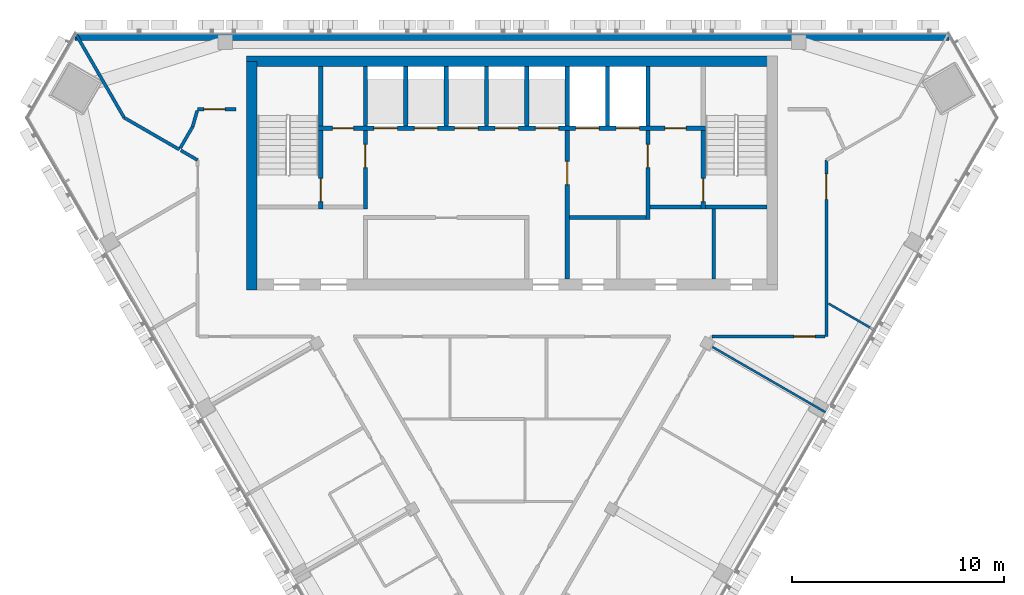
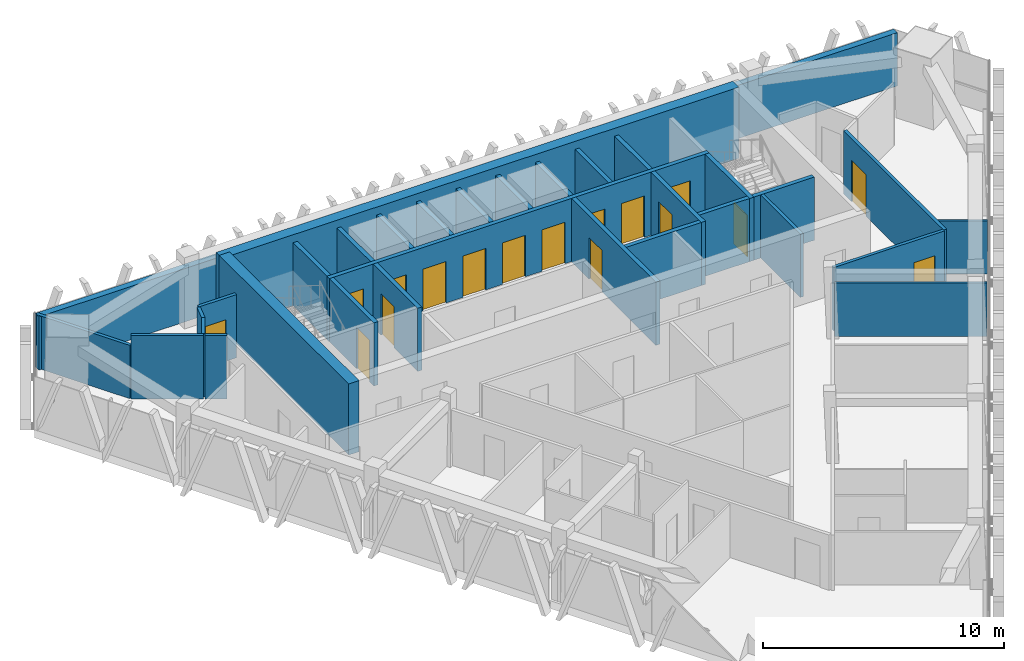
# One storey, part 9 of 12: 32 walls, 17 doors, 17 openings.
"""IFC4 building model written with IfcOpenShell, lengths in metres."""

from ifc_helpers import new_model, si_unit, direction, frame, frame_2d, origin, place, context, subcontext, project, spatial, rectangle, extrude, material, layer, layer_set, type_object, element, fill, save


model = new_model("IFC4")

# Units and contexts
model_context = context("Model", 3, precision=1e-05, world=origin(), true_north=direction((0.0, 1.0)))
body_context = subcontext(model_context, "Body", "Model", "MODEL_VIEW")
ifc_project = project(units=[si_unit("LENGTHUNIT", "METRE"), si_unit("AREAUNIT", "SQUARE_METRE"), si_unit("VOLUMEUNIT", "CUBIC_METRE"), si_unit("PLANEANGLEUNIT", "RADIAN"), si_unit("MASSUNIT", "GRAM", prefix="KILO")], contexts=[model_context])

# Site, building, storey
site_placement = place(None, origin())
site = spatial("IfcSite", under=ifc_project, at=site_placement, CompositionType="ELEMENT")
building_placement = place(site_placement, origin())
building = spatial("IfcBuilding", under=site, at=building_placement, Name="Altiplano Prism Tower", CompositionType="ELEMENT")
storey_placement = place(building_placement, frame((0.0, 0.0, 278.800048828125)))
storey = spatial("IfcBuildingStorey", under=building, at=storey_placement, Name="L72", CompositionType="ELEMENT", Elevation=278.800048828125)

# Walls
ifc_material_1 = material(Name="Concrete C60/75", Category="concrete")
ifc_layer_1 = layer(ifc_material_1, 0.5)
ifc_layer_set_1 = layer_set([ifc_layer_1], Name="Concrete C60/75")
wall_type_1 = type_object("IfcWallType", Name="Core wall 500", PredefinedType="SHEAR", material=ifc_layer_set_1)
wall_1_placement = place(storey_placement, frame((97.25, 103.64990234375, 0.0), z_axis=(0.0, 0.0, 1.0), x_axis=(-1.0, 0.0, 0.0)))
element("IfcWall", 1, at=wall_1_placement, inside=storey, type_object=wall_type_1, Name="Core wall N L72", PredefinedType="SHEAR", context=body_context, shape_type="SweptSolid", body=[
    extrude(rectangle(XDim=24.75, YDim=0.5, at=frame_2d((12.375, 0.0))), origin(), (0.0, 0.0, 1.0), 3.599853515625),
])
wall_2_placement = place(storey_placement, frame((72.75, 103.64990234375, 0.0), z_axis=(0.0, 0.0, 1.0), x_axis=(0.0, -1.0, 0.0)))
element("IfcWall", 2, at=wall_2_placement, inside=storey, type_object=wall_type_1, Name="Core wall W L72", PredefinedType="SHEAR", context=body_context, shape_type="SweptSolid", body=[
    extrude(rectangle(XDim=10.75, YDim=0.5, at=frame_2d((5.375, 0.0))), origin(), (0.0, 0.0, 1.0), 3.599853515625),
])
ifc_material_2 = material(Name="Plasterboard on steel stud", Category="steel")
ifc_layer_2 = layer(ifc_material_2, 0.10009765625)
ifc_layer_set_2 = layer_set([ifc_layer_2], Name="Plasterboard on steel stud")
wall_type_2 = type_object("IfcWallType", Name="Partition 100 wet", PredefinedType="PARTITIONING", material=ifc_layer_set_2)
wall_3_placement = place(storey_placement, frame((99.755126953125, 87.1376953125, 0.0), z_axis=(0.0, 0.0, 1.0), x_axis=(-0.866032601554, 0.49998753289, 0.0)))
element("IfcWall", 3, at=wall_3_placement, inside=storey, type_object=wall_type_2, Name="Partition P03 L72 043", PredefinedType="PARTITIONING", context=body_context, shape_type="SweptSolid", body=[
    extrude(rectangle(XDim=6.324951171875, YDim=0.10009765625, at=frame_2d((3.16259765625, 0.0))), origin(), (0.0, 0.0, 1.0), 2.699951171875),
])
wall_4_placement = place(storey_placement, frame((102.022705078125, 91.024658203125, 0.0), z_axis=(0.0, 0.0, 1.0), x_axis=(-0.866028016946, 0.499995473844, 0.0)))
element("IfcWall", 4, at=wall_4_placement, inside=storey, type_object=wall_type_2, Name="Partition P03 L72 044", PredefinedType="PARTITIONING", context=body_context, shape_type="SweptSolid", body=[
    extrude(rectangle(XDim=2.451171875, YDim=0.10009765625, at=frame_2d((1.2255859375, 0.0))), origin(), (0.0, 0.0, 1.0), 2.699951171875),
])
ifc_layer_3 = layer(ifc_material_2, 0.14990234375)
ifc_layer_set_3 = layer_set([ifc_layer_3], Name="Plasterboard on steel stud")
wall_type_3 = type_object("IfcWallType", Name="Partition 150 corridor", PredefinedType="PARTITIONING", material=ifc_layer_set_3)
wall_5_placement = place(storey_placement, frame((69.40771484375, 99.46240234375, 0.0), z_axis=(0.0, 0.0, 1.0), x_axis=(0.866083370663, -0.499899584978, 0.0)))
element("IfcWall", 5, at=wall_5_placement, inside=storey, type_object=wall_type_3, Name="Partition P06 L72 004", PredefinedType="PARTITIONING", context=body_context, shape_type="SweptSolid", body=[
    extrude(rectangle(XDim=0.914794921875, YDim=0.14990234375, at=frame_2d((0.45751953125, 0.0))), origin(), (0.0, 0.0, 1.0), 3.199951171875),
])

# Wall, opening, door
wall_6_placement = place(storey_placement, frame((94.421630859375, 90.699951171875, 0.0), z_axis=(0.0, 0.0, 1.0), x_axis=(1.0, 0.0, 0.0)))
wall_6 = element("IfcWall", 6, at=wall_6_placement, inside=storey, type_object=wall_type_3, Name="Partition P06 L72 009", PredefinedType="PARTITIONING", context=body_context, shape_type="SweptSolid", body=[
    extrude(rectangle(XDim=5.303466796875, YDim=0.14990234375, at=frame_2d((2.65185546875, 0.0))), origin(), (0.0, 0.0, 1.0), 3.199951171875),
])
opening_1_placement = place(wall_6_placement, frame((3.846923828125, 0.0, 0.0)))
opening_1 = element("IfcOpeningElement", 7, at=opening_1_placement, cuts=wall_6, Name="Opening D2264", PredefinedType="OPENING", context=body_context, shape_type="SweptSolid", body=[
    extrude(rectangle(XDim=1.0, YDim=2.10009765625, at=frame_2d((0.5, 1.050048828125))), frame((0.0, 0.08544921875, 0.0), z_axis=(0.0, -1.0, 0.0), x_axis=(1.0, 0.0, 0.0)), (0.0, 0.0, 1.0), 0.1708984375),
])
ifc_material_3 = material(Name="Timber", Category="wood")
door_type_1 = type_object("IfcDoorType", Name="Room door 1000 x 2100", OperationType="NOTDEFINED", PredefinedType="NOTDEFINED", material=ifc_material_3)
door_1_placement = place(opening_1_placement, origin())
door_1 = element("IfcDoor", 8, at=door_1_placement, inside=storey, type_object=door_type_1, Name="Door D2264", OperationType="SINGLE_SWING_RIGHT", OverallHeight=2.10009765625, OverallWidth=1.0, PredefinedType="NOTDEFINED", context=body_context, shape_type="SweptSolid", body=[
    extrude(rectangle(XDim=1.0, YDim=2.10009765625, at=frame_2d((0.5, 1.050048828125))), frame((0.0, 0.02490234375, 0.0), z_axis=(0.0, -1.0, 0.0), x_axis=(1.0, 0.0, 0.0)), (0.0, 0.0, 1.0), 0.050048828125),
])
fill(opening_1, door_1)

wall_7_placement = place(storey_placement, frame((99.800048828125, 90.699951171875, 0.0), z_axis=(0.0, 0.0, 1.0), x_axis=(0.0, 1.0, 0.0)))
wall_7 = element("IfcWall", 9, at=wall_7_placement, inside=storey, type_object=wall_type_3, Name="Partition P06 L72 010", PredefinedType="PARTITIONING", context=body_context, shape_type="SweptSolid", body=[
    extrude(rectangle(XDim=8.30517578125, YDim=0.14990234375, at=frame_2d((4.152587890625, 0.0))), origin(), (0.0, 0.0, 1.0), 3.199951171875),
])
opening_2_placement = place(wall_7_placement, frame((6.451904296875, 0.0, 0.0)))
opening_2 = element("IfcOpeningElement", 10, at=opening_2_placement, cuts=wall_7, Name="Opening D2265", PredefinedType="OPENING", context=body_context, shape_type="SweptSolid", body=[
    extrude(rectangle(XDim=1.199951171875, YDim=2.10009765625, at=frame_2d((0.60009765625, 1.050048828125))), frame((0.0, 0.08544921875, 0.0), z_axis=(0.0, -1.0, 0.0), x_axis=(1.0, 0.0, 0.0)), (0.0, 0.0, 1.0), 0.1708984375),
])
door_type_2 = type_object("IfcDoorType", Name="Shared room door 1200 x 2100", OperationType="NOTDEFINED", PredefinedType="NOTDEFINED", material=ifc_material_3)
door_2_placement = place(opening_2_placement, origin())
door_2 = element("IfcDoor", 11, at=door_2_placement, inside=storey, type_object=door_type_2, Name="Door D2265", OperationType="SINGLE_SWING_RIGHT", OverallHeight=2.10009765625, OverallWidth=1.199951171875, PredefinedType="NOTDEFINED", context=body_context, shape_type="SweptSolid", body=[
    extrude(rectangle(XDim=1.199951171875, YDim=2.10009765625, at=frame_2d((0.60009765625, 1.050048828125))), frame((0.0, 0.02490234375, 0.0), z_axis=(0.0, -1.0, 0.0), x_axis=(1.0, 0.0, 0.0)), (0.0, 0.0, 1.0), 0.050048828125),
])
fill(opening_2, door_2)

wall_8_placement = place(storey_placement, frame((72.0, 101.39990234375, 0.0), z_axis=(0.0, 0.0, 1.0), x_axis=(-1.0, 0.0, 0.0)))
wall_8 = element("IfcWall", 12, at=wall_8_placement, inside=storey, type_object=wall_type_3, Name="Partition P06 L72 012", PredefinedType="PARTITIONING", context=body_context, shape_type="SweptSolid", body=[
    extrude(rectangle(XDim=1.800048828125, YDim=0.14990234375, at=frame_2d((0.89990234375, 0.0))), origin(), (0.0, 0.0, 1.0), 3.199951171875),
])
opening_3_placement = place(wall_8_placement, frame((0.50390625, 0.0, 0.0)))
opening_3 = element("IfcOpeningElement", 13, at=opening_3_placement, cuts=wall_8, Name="Opening D2266", PredefinedType="OPENING", context=body_context, shape_type="SweptSolid", body=[
    extrude(rectangle(XDim=1.0, YDim=2.10009765625, at=frame_2d((0.5, 1.050048828125))), frame((0.0, 0.08544921875, 0.0), z_axis=(0.0, -1.0, 0.0), x_axis=(1.0, 0.0, 0.0)), (0.0, 0.0, 1.0), 0.1708984375),
])
door_type_3 = type_object("IfcDoorType", Name="Store door 1000 x 2100", OperationType="NOTDEFINED", PredefinedType="NOTDEFINED", material=ifc_material_3)
door_3_placement = place(opening_3_placement, origin())
door_3 = element("IfcDoor", 14, at=door_3_placement, inside=storey, type_object=door_type_3, Name="Door D2266", OperationType="SINGLE_SWING_LEFT", OverallHeight=2.10009765625, OverallWidth=1.0, PredefinedType="NOTDEFINED", context=body_context, shape_type="SweptSolid", body=[
    extrude(rectangle(XDim=1.0, YDim=2.10009765625, at=frame_2d((0.5, 1.050048828125))), frame((0.0, 0.02490234375, 0.0), z_axis=(0.0, -1.0, 0.0), x_axis=(1.0, 0.0, 0.0)), (0.0, 0.0, 1.0), 0.050048828125),
])
fill(opening_3, door_3)

# Walls
wall_9_placement = place(storey_placement, frame((70.18017578125, 101.33056640625, 0.0), z_axis=(0.0, 0.0, 1.0), x_axis=(-0.27467994889, -0.961535712118, 0.0)))
element("IfcWall", 15, at=wall_9_placement, inside=storey, type_object=wall_type_3, Name="Partition P06 L72 013", PredefinedType="PARTITIONING", context=body_context, shape_type="SweptSolid", body=[
    extrude(rectangle(XDim=0.782958984375, YDim=0.14990234375, at=frame_2d((0.3916015625, 0.0))), origin(), (0.0, 0.0, 1.0), 3.199951171875),
])
wall_10_placement = place(storey_placement, frame((69.965087890625, 100.57763671875, 0.0), z_axis=(0.0, 0.0, 1.0), x_axis=(-0.500023656998, -0.86601174498, 0.0)))
element("IfcWall", 16, at=wall_10_placement, inside=storey, type_object=wall_type_3, Name="Partition P06 L72 014", PredefinedType="PARTITIONING", context=body_context, shape_type="SweptSolid", body=[
    extrude(rectangle(XDim=1.16943359375, YDim=0.14990234375, at=frame_2d((0.584716796875, 0.0))), origin(), (0.0, 0.0, 1.0), 3.199951171875),
])
ifc_layer_4 = layer(ifc_material_2, 0.14990234375)
ifc_layer_set_4 = layer_set([ifc_layer_4], Name="Plasterboard on steel stud")
wall_type_4 = type_object("IfcWallType", Name="Partition 150 party", PredefinedType="PARTITIONING", material=ifc_layer_set_4)
wall_11_placement = place(storey_placement, frame((69.3427734375, 99.5, 0.0), z_axis=(0.0, 0.0, 1.0), x_axis=(-0.865998815133, 0.500046050067, 0.0)))
element("IfcWall", 17, at=wall_11_placement, inside=storey, type_object=wall_type_4, Name="Partition P01 L72 026", PredefinedType="PARTITIONING", context=body_context, shape_type="SweptSolid", body=[
    extrude(rectangle(XDim=3.004150390625, YDim=0.14990234375, at=frame_2d((1.501953125, 0.0))), origin(), (0.0, 0.0, 1.0), 3.199951171875),
])
wall_12_placement = place(storey_placement, frame((66.7412109375, 101.002197265625, 0.0), z_axis=(0.0, 0.0, 1.0), x_axis=(-0.500024529875, 0.866011240991, 0.0)))
element("IfcWall", 18, at=wall_12_placement, inside=storey, type_object=wall_type_4, Name="Partition P01 L72 027", PredefinedType="PARTITIONING", context=body_context, shape_type="SweptSolid", body=[
    extrude(rectangle(XDim=4.500732421875, YDim=0.14990234375, at=frame_2d((2.25048828125, 0.0))), origin(), (0.0, 0.0, 1.0), 2.699951171875),
])
ifc_material_4 = material(Name="Fire-rated gypsum board partition")
ifc_layer_5 = layer(ifc_material_4, 0.14990234375)
ifc_layer_set_5 = layer_set([ifc_layer_5], Name="Fire-rated gypsum board partition")
wall_type_5 = type_object("IfcWallType", Name="Room partition 150", PredefinedType="PARTITIONING", material=ifc_layer_set_5)
wall_13_placement = place(storey_placement, frame((94.5, 93.39990234375, 0.0), z_axis=(0.0, 0.0, 1.0), x_axis=(0.0, 1.0, 0.0)))
element("IfcWall", 19, at=wall_13_placement, inside=storey, type_object=wall_type_5, Name="Room partition L72", PredefinedType="PARTITIONING", context=body_context, shape_type="SweptSolid", body=[
    extrude(rectangle(XDim=3.300048828125, YDim=0.14990234375, at=frame_2d((1.64990234375, 0.0))), origin(), (0.0, 0.0, 1.0), 3.199951171875),
])
ifc_layer_6 = layer(ifc_material_1, 0.199951171875)
ifc_layer_set_6 = layer_set([ifc_layer_6], Name="Concrete C60/75")
wall_type_6 = type_object("IfcWallType", Name="Shaft wall 200", PredefinedType="SOLIDWALL", material=ifc_layer_set_6)
for number, where, z_axis, x_axis, name in (
    (20, (78.10009765625, 100.60009765625, 0.0), (0.0, 0.0, 1.0), (0.0, 1.0, 0.0), "Shaft wall L72"),
    (21, (80.0, 100.60009765625, 0.0), (0.0, 0.0, 1.0), (0.0, 1.0, 0.0), "Shaft wall L72"),
    (22, (81.89990234375, 100.60009765625, 0.0), (0.0, 0.0, 1.0), (0.0, 1.0, 0.0), "Shaft wall L72"),
    (23, (83.800048828125, 100.60009765625, 0.0), (0.0, 0.0, 1.0), (0.0, 1.0, 0.0), "Shaft wall L72"),
    (24, (85.699951171875, 100.60009765625, 0.0), (0.0, 0.0, 1.0), (0.0, 1.0, 0.0), "Shaft wall L72"),
    (25, (87.60009765625, 100.60009765625, 0.0), (0.0, 0.0, 1.0), (0.0, 1.0, 0.0), "Shaft wall L72"),
    (26, (89.5, 100.60009765625, 0.0), (0.0, 0.0, 1.0), (0.0, 1.0, 0.0), "Shaft wall L72"),
    (27, (91.39990234375, 100.60009765625, 0.0), (0.0, 0.0, 1.0), (0.0, 1.0, 0.0), "Shaft wall L72"),
):
    element("IfcWall", number, at=place(storey_placement, frame(where, z_axis=z_axis, x_axis=x_axis)), inside=storey, type_object=wall_type_6, Name=name, PredefinedType="SOLIDWALL", context=body_context, shape_type="SweptSolid", body=[
        extrude(rectangle(XDim=2.7998046875, YDim=0.199951171875, at=frame_2d((1.39990234375, 0.0))), origin(), (0.0, 0.0, 1.0), 3.199951171875),
    ])

# Wall, opening, door
ifc_layer_7 = layer(ifc_material_1, 0.199951171875)
ifc_layer_set_7 = layer_set([ifc_layer_7], Name="Concrete C60/75")
wall_type_7 = type_object("IfcWallType", Name="Stair wall 200", PredefinedType="SOLIDWALL", material=ifc_layer_set_7)
wall_14_placement = place(storey_placement, frame((76.0, 96.699951171875, 0.0), z_axis=(0.0, 0.0, 1.0), x_axis=(0.0, 1.0, 0.0)))
wall_14 = element("IfcWall", 28, at=wall_14_placement, inside=storey, type_object=wall_type_7, Name="Stair wall L72", PredefinedType="SOLIDWALL", context=body_context, shape_type="SweptSolid", body=[
    extrude(rectangle(XDim=3.699951171875, YDim=0.199951171875, at=frame_2d((1.85009765625, 0.0))), origin(), (0.0, 0.0, 1.0), 3.199951171875),
])
opening_4_placement = place(wall_14_placement, frame((0.35009765625, 0.0, 0.0)))
opening_4 = element("IfcOpeningElement", 29, at=opening_4_placement, cuts=wall_14, Name="Opening D3592", PredefinedType="OPENING", context=body_context, shape_type="SweptSolid", body=[
    extrude(rectangle(XDim=1.10009765625, YDim=2.10009765625, at=frame_2d((0.550048828125, 1.050048828125))), frame((0.0, 0.1103515625, 0.0), z_axis=(0.0, -1.0, 0.0), x_axis=(1.0, 0.0, 0.0)), (0.0, 0.0, 1.0), 0.220947265625),
])
ifc_material_5 = material(Name="Fire-rated steel door", Category="steel")
door_type_4 = type_object("IfcDoorType", Name="Stair fire door 1100 x 2100", OperationType="NOTDEFINED", PredefinedType="NOTDEFINED", material=ifc_material_5)
door_4_placement = place(opening_4_placement, origin())
door_4 = element("IfcDoor", 30, at=door_4_placement, inside=storey, type_object=door_type_4, Name="Stair fire door D3592", OperationType="SINGLE_SWING_RIGHT", OverallHeight=2.10009765625, OverallWidth=1.10009765625, PredefinedType="NOTDEFINED", context=body_context, shape_type="SweptSolid", body=[
    extrude(rectangle(XDim=1.10009765625, YDim=2.10009765625, at=frame_2d((0.550048828125, 1.050048828125))), frame((0.0, 0.02490234375, 0.0), z_axis=(0.0, -1.0, 0.0), x_axis=(1.0, 0.0, 0.0)), (0.0, 0.0, 1.0), 0.050048828125),
])
fill(opening_4, door_4)

wall_15_placement = place(storey_placement, frame((94.0, 96.699951171875, 0.0), z_axis=(0.0, 0.0, 1.0), x_axis=(0.0, 1.0, 0.0)))
wall_15 = element("IfcWall", 31, at=wall_15_placement, inside=storey, type_object=wall_type_7, Name="Stair wall L72", PredefinedType="SOLIDWALL", context=body_context, shape_type="SweptSolid", body=[
    extrude(rectangle(XDim=3.699951171875, YDim=0.199951171875, at=frame_2d((1.85009765625, 0.0))), origin(), (0.0, 0.0, 1.0), 3.199951171875),
])
opening_5_placement = place(wall_15_placement, frame((0.35009765625, 0.0, 0.0)))
opening_5 = element("IfcOpeningElement", 32, at=opening_5_placement, cuts=wall_15, Name="Opening D3593", PredefinedType="OPENING", context=body_context, shape_type="SweptSolid", body=[
    extrude(rectangle(XDim=1.10009765625, YDim=2.10009765625, at=frame_2d((0.550048828125, 1.050048828125))), frame((0.0, 0.1103515625, 0.0), z_axis=(0.0, -1.0, 0.0), x_axis=(1.0, 0.0, 0.0)), (0.0, 0.0, 1.0), 0.220947265625),
])
door_5_placement = place(opening_5_placement, origin())
door_5 = element("IfcDoor", 33, at=door_5_placement, inside=storey, type_object=door_type_4, Name="Stair fire door D3593", OperationType="SINGLE_SWING_LEFT", OverallHeight=2.10009765625, OverallWidth=1.10009765625, PredefinedType="NOTDEFINED", context=body_context, shape_type="SweptSolid", body=[
    extrude(rectangle(XDim=1.10009765625, YDim=2.10009765625, at=frame_2d((0.550048828125, 1.050048828125))), frame((0.0, 0.02490234375, 0.0), z_axis=(0.0, -1.0, 0.0), x_axis=(1.0, 0.0, 0.0)), (0.0, 0.0, 1.0), 0.050048828125),
])
fill(opening_5, door_5)

# Wall
wall_16_placement = place(storey_placement, frame((94.10009765625, 96.800048828125, 0.0), z_axis=(0.0, 0.0, 1.0), x_axis=(1.0, 0.0, 0.0)))
element("IfcWall", 34, at=wall_16_placement, inside=storey, type_object=wall_type_7, Name="Stair wall L72", PredefinedType="SOLIDWALL", context=body_context, shape_type="SweptSolid", body=[
    extrude(rectangle(XDim=2.89990234375, YDim=0.199951171875, at=frame_2d((1.449951171875, 0.0))), origin(), (0.0, 0.0, 1.0), 3.199951171875),
])

# Wall, openings, doors
wall_17_placement = place(storey_placement, frame((75.89990234375, 100.5, 0.0), z_axis=(0.0, 0.0, 1.0), x_axis=(1.0, 0.0, 0.0)))
wall_17 = element("IfcWall", 35, at=wall_17_placement, inside=storey, type_object=wall_type_7, Name="Stair wall L72", PredefinedType="SOLIDWALL", context=body_context, shape_type="SweptSolid", body=[
    extrude(rectangle(XDim=18.2001953125, YDim=0.199951171875, at=frame_2d((9.10009765625, 0.0))), origin(), (0.0, 0.0, 1.0), 3.199951171875),
])
opening_6_placement = place(wall_17_placement, frame((2.60009765625, 0.0, 0.0)))
opening_6 = element("IfcOpeningElement", 36, at=opening_6_placement, cuts=wall_17, Name="Opening LD-HL1-L72", PredefinedType="OPENING", context=body_context, shape_type="SweptSolid", body=[
    extrude(rectangle(XDim=1.10009765625, YDim=2.10009765625, at=frame_2d((0.550048828125, 1.050048828125))), frame((0.0, 0.1103515625, 0.0), z_axis=(0.0, -1.0, 0.0), x_axis=(1.0, 0.0, 0.0)), (0.0, 0.0, 1.0), 0.220947265625),
])
opening_7_placement = place(wall_17_placement, frame((4.5, 0.0, 0.0)))
opening_7 = element("IfcOpeningElement", 37, at=opening_7_placement, cuts=wall_17, Name="Opening LD-HL2-L72", PredefinedType="OPENING", context=body_context, shape_type="SweptSolid", body=[
    extrude(rectangle(XDim=1.10009765625, YDim=2.10009765625, at=frame_2d((0.550048828125, 1.050048828125))), frame((0.0, 0.1103515625, 0.0), z_axis=(0.0, -1.0, 0.0), x_axis=(1.0, 0.0, 0.0)), (0.0, 0.0, 1.0), 0.220947265625),
])
opening_8_placement = place(wall_17_placement, frame((6.39990234375, 0.0, 0.0)))
opening_8 = element("IfcOpeningElement", 38, at=opening_8_placement, cuts=wall_17, Name="Opening LD-HL3-L72", PredefinedType="OPENING", context=body_context, shape_type="SweptSolid", body=[
    extrude(rectangle(XDim=1.10009765625, YDim=2.10009765625, at=frame_2d((0.550048828125, 1.050048828125))), frame((0.0, 0.1103515625, 0.0), z_axis=(0.0, -1.0, 0.0), x_axis=(1.0, 0.0, 0.0)), (0.0, 0.0, 1.0), 0.220947265625),
])
opening_9_placement = place(wall_17_placement, frame((8.300048828125, 0.0, 0.0)))
opening_9 = element("IfcOpeningElement", 39, at=opening_9_placement, cuts=wall_17, Name="Opening LD-HL4-L72", PredefinedType="OPENING", context=body_context, shape_type="SweptSolid", body=[
    extrude(rectangle(XDim=1.10009765625, YDim=2.10009765625, at=frame_2d((0.550048828125, 1.050048828125))), frame((0.0, 0.1103515625, 0.0), z_axis=(0.0, -1.0, 0.0), x_axis=(1.0, 0.0, 0.0)), (0.0, 0.0, 1.0), 0.220947265625),
])
opening_10_placement = place(wall_17_placement, frame((10.199951171875, 0.0, 0.0)))
opening_10 = element("IfcOpeningElement", 40, at=opening_10_placement, cuts=wall_17, Name="Opening LD-HL5-L72", PredefinedType="OPENING", context=body_context, shape_type="SweptSolid", body=[
    extrude(rectangle(XDim=1.10009765625, YDim=2.10009765625, at=frame_2d((0.550048828125, 1.050048828125))), frame((0.0, 0.1103515625, 0.0), z_axis=(0.0, -1.0, 0.0), x_axis=(1.0, 0.0, 0.0)), (0.0, 0.0, 1.0), 0.220947265625),
])
opening_11_placement = place(wall_17_placement, frame((12.10009765625, 0.0, 0.0)))
opening_11 = element("IfcOpeningElement", 41, at=opening_11_placement, cuts=wall_17, Name="Opening LD-FF1-L72", PredefinedType="OPENING", context=body_context, shape_type="SweptSolid", body=[
    extrude(rectangle(XDim=1.10009765625, YDim=2.10009765625, at=frame_2d((0.550048828125, 1.050048828125))), frame((0.0, 0.1103515625, 0.0), z_axis=(0.0, -1.0, 0.0), x_axis=(1.0, 0.0, 0.0)), (0.0, 0.0, 1.0), 0.220947265625),
])
opening_12_placement = place(wall_17_placement, frame((14.0, 0.0, 0.0)))
opening_12 = element("IfcOpeningElement", 42, at=opening_12_placement, cuts=wall_17, Name="Opening LD-FF2-L72", PredefinedType="OPENING", context=body_context, shape_type="SweptSolid", body=[
    extrude(rectangle(XDim=1.10009765625, YDim=2.10009765625, at=frame_2d((0.550048828125, 1.050048828125))), frame((0.0, 0.1103515625, 0.0), z_axis=(0.0, -1.0, 0.0), x_axis=(1.0, 0.0, 0.0)), (0.0, 0.0, 1.0), 0.220947265625),
])
opening_13_placement = place(wall_17_placement, frame((0.64990234375, 0.0, 0.0)))
opening_13 = element("IfcOpeningElement", 43, at=opening_13_placement, cuts=wall_17, Name="Opening D3600", PredefinedType="OPENING", context=body_context, shape_type="SweptSolid", body=[
    extrude(rectangle(XDim=1.0, YDim=2.10009765625, at=frame_2d((0.5, 1.050048828125))), frame((0.0, 0.1103515625, 0.0), z_axis=(0.0, -1.0, 0.0), x_axis=(1.0, 0.0, 0.0)), (0.0, 0.0, 1.0), 0.220947265625),
])
opening_14_placement = place(wall_17_placement, frame((16.300048828125, 0.0, 0.0)))
opening_14 = element("IfcOpeningElement", 44, at=opening_14_placement, cuts=wall_17, Name="Opening D3601", PredefinedType="OPENING", context=body_context, shape_type="SweptSolid", body=[
    extrude(rectangle(XDim=1.0, YDim=2.10009765625, at=frame_2d((0.5, 1.050048828125))), frame((0.0, 0.1103515625, 0.0), z_axis=(0.0, -1.0, 0.0), x_axis=(1.0, 0.0, 0.0)), (0.0, 0.0, 1.0), 0.220947265625),
])
door_type_5 = type_object("IfcDoorType", Name="Core room door 1000 x 2100", OperationType="NOTDEFINED", PredefinedType="NOTDEFINED", material=ifc_material_5)
door_6_placement = place(opening_13_placement, origin())
door_6 = element("IfcDoor", 45, at=door_6_placement, inside=storey, type_object=door_type_5, Name="Core room door D3600", OperationType="SINGLE_SWING_LEFT", OverallHeight=2.10009765625, OverallWidth=1.0, PredefinedType="NOTDEFINED", context=body_context, shape_type="SweptSolid", body=[
    extrude(rectangle(XDim=1.0, YDim=2.10009765625, at=frame_2d((0.5, 1.050048828125))), frame((0.0, 0.02490234375, 0.0), z_axis=(0.0, -1.0, 0.0), x_axis=(1.0, 0.0, 0.0)), (0.0, 0.0, 1.0), 0.050048828125),
])
fill(opening_13, door_6)
door_7_placement = place(opening_14_placement, origin())
door_7 = element("IfcDoor", 46, at=door_7_placement, inside=storey, type_object=door_type_5, Name="Core room door D3601", OperationType="SINGLE_SWING_RIGHT", OverallHeight=2.10009765625, OverallWidth=1.0, PredefinedType="NOTDEFINED", context=body_context, shape_type="SweptSolid", body=[
    extrude(rectangle(XDim=1.0, YDim=2.10009765625, at=frame_2d((0.5, 1.050048828125))), frame((0.0, 0.02490234375, 0.0), z_axis=(0.0, -1.0, 0.0), x_axis=(1.0, 0.0, 0.0)), (0.0, 0.0, 1.0), 0.050048828125),
])
fill(opening_14, door_7)
ifc_material_6 = material(Name="Stainless steel landing door", Category="steel")
door_type_6 = type_object("IfcDoorType", Name="Landing door 1100 x 2100", OperationType="NOTDEFINED", PredefinedType="NOTDEFINED", material=ifc_material_6)
door_8_placement = place(opening_6_placement, origin())
door_8 = element("IfcDoor", 47, at=door_8_placement, inside=storey, type_object=door_type_6, Name="Landing doors HL1", OperationType="SLIDING_TO_RIGHT", OverallHeight=2.10009765625, OverallWidth=1.10009765625, PredefinedType="NOTDEFINED", context=body_context, shape_type="SweptSolid", body=[
    extrude(rectangle(XDim=1.10009765625, YDim=2.10009765625, at=frame_2d((0.550048828125, 1.050048828125))), frame((0.0, 0.02490234375, 0.0), z_axis=(0.0, -1.0, 0.0), x_axis=(1.0, 0.0, 0.0)), (0.0, 0.0, 1.0), 0.050048828125),
])
fill(opening_6, door_8)
door_9_placement = place(opening_7_placement, origin())
door_9 = element("IfcDoor", 48, at=door_9_placement, inside=storey, type_object=door_type_6, Name="Landing doors HL2", OperationType="SLIDING_TO_LEFT", OverallHeight=2.10009765625, OverallWidth=1.10009765625, PredefinedType="NOTDEFINED", context=body_context, shape_type="SweptSolid", body=[
    extrude(rectangle(XDim=1.10009765625, YDim=2.10009765625, at=frame_2d((0.550048828125, 1.050048828125))), frame((0.0, 0.02490234375, 0.0), z_axis=(0.0, -1.0, 0.0), x_axis=(1.0, 0.0, 0.0)), (0.0, 0.0, 1.0), 0.050048828125),
])
fill(opening_7, door_9)
door_10_placement = place(opening_8_placement, origin())
door_10 = element("IfcDoor", 49, at=door_10_placement, inside=storey, type_object=door_type_6, Name="Landing doors HL3", OperationType="SLIDING_TO_RIGHT", OverallHeight=2.10009765625, OverallWidth=1.10009765625, PredefinedType="NOTDEFINED", context=body_context, shape_type="SweptSolid", body=[
    extrude(rectangle(XDim=1.10009765625, YDim=2.10009765625, at=frame_2d((0.550048828125, 1.050048828125))), frame((0.0, 0.02490234375, 0.0), z_axis=(0.0, -1.0, 0.0), x_axis=(1.0, 0.0, 0.0)), (0.0, 0.0, 1.0), 0.050048828125),
])
fill(opening_8, door_10)
door_11_placement = place(opening_9_placement, origin())
door_11 = element("IfcDoor", 50, at=door_11_placement, inside=storey, type_object=door_type_6, Name="Landing doors HL4", OperationType="SLIDING_TO_LEFT", OverallHeight=2.10009765625, OverallWidth=1.10009765625, PredefinedType="NOTDEFINED", context=body_context, shape_type="SweptSolid", body=[
    extrude(rectangle(XDim=1.10009765625, YDim=2.10009765625, at=frame_2d((0.550048828125, 1.050048828125))), frame((0.0, 0.02490234375, 0.0), z_axis=(0.0, -1.0, 0.0), x_axis=(1.0, 0.0, 0.0)), (0.0, 0.0, 1.0), 0.050048828125),
])
fill(opening_9, door_11)
door_12_placement = place(opening_10_placement, origin())
door_12 = element("IfcDoor", 51, at=door_12_placement, inside=storey, type_object=door_type_6, Name="Landing doors HL5", OperationType="SLIDING_TO_RIGHT", OverallHeight=2.10009765625, OverallWidth=1.10009765625, PredefinedType="NOTDEFINED", context=body_context, shape_type="SweptSolid", body=[
    extrude(rectangle(XDim=1.10009765625, YDim=2.10009765625, at=frame_2d((0.550048828125, 1.050048828125))), frame((0.0, 0.02490234375, 0.0), z_axis=(0.0, -1.0, 0.0), x_axis=(1.0, 0.0, 0.0)), (0.0, 0.0, 1.0), 0.050048828125),
])
fill(opening_10, door_12)
door_13_placement = place(opening_11_placement, origin())
door_13 = element("IfcDoor", 52, at=door_13_placement, inside=storey, type_object=door_type_6, Name="Landing doors FF1", OperationType="SLIDING_TO_RIGHT", OverallHeight=2.10009765625, OverallWidth=1.10009765625, PredefinedType="NOTDEFINED", context=body_context, shape_type="SweptSolid", body=[
    extrude(rectangle(XDim=1.10009765625, YDim=2.10009765625, at=frame_2d((0.550048828125, 1.050048828125))), frame((0.0, 0.02490234375, 0.0), z_axis=(0.0, -1.0, 0.0), x_axis=(1.0, 0.0, 0.0)), (0.0, 0.0, 1.0), 0.050048828125),
])
fill(opening_11, door_13)
door_14_placement = place(opening_12_placement, origin())
door_14 = element("IfcDoor", 53, at=door_14_placement, inside=storey, type_object=door_type_6, Name="Landing doors FF2", OperationType="SLIDING_TO_LEFT", OverallHeight=2.10009765625, OverallWidth=1.10009765625, PredefinedType="NOTDEFINED", context=body_context, shape_type="SweptSolid", body=[
    extrude(rectangle(XDim=1.10009765625, YDim=2.10009765625, at=frame_2d((0.550048828125, 1.050048828125))), frame((0.0, 0.02490234375, 0.0), z_axis=(0.0, -1.0, 0.0), x_axis=(1.0, 0.0, 0.0)), (0.0, 0.0, 1.0), 0.050048828125),
])
fill(opening_12, door_14)

# Walls
wall_18_placement = place(storey_placement, frame((76.0, 100.60009765625, 0.0), z_axis=(0.0, 0.0, 1.0), x_axis=(0.0, 1.0, 0.0)))
element("IfcWall", 54, at=wall_18_placement, inside=storey, type_object=wall_type_7, Name="Stair wall L72", PredefinedType="SOLIDWALL", context=body_context, shape_type="SweptSolid", body=[
    extrude(rectangle(XDim=2.7998046875, YDim=0.199951171875, at=frame_2d((1.39990234375, 0.0))), origin(), (0.0, 0.0, 1.0), 3.199951171875),
])
ifc_material_7 = material(Name="Concrete C40", Category="concrete")
ifc_layer_8 = layer(ifc_material_7, 0.300048828125)
ifc_layer_set_8 = layer_set([ifc_layer_8], Name="Concrete C40")
wall_type_8 = type_object("IfcWallType", Name="Stone-clad external wall 300", PredefinedType="SOLIDWALL", material=ifc_layer_set_8)
wall_19_placement = place(storey_placement, frame((64.432861328125, 104.7900390625, 0.0), z_axis=(0.0, 0.0, 1.0), x_axis=(1.0, 0.0, 0.0)))
element("IfcWall", 55, at=wall_19_placement, inside=storey, type_object=wall_type_8, Name="External wall north face L72", PredefinedType="SOLIDWALL", context=body_context, shape_type="SweptSolid", body=[
    extrude(rectangle(XDim=41.13427734375, YDim=0.300048828125, at=frame_2d((20.567138671875, 0.0))), origin(), (0.0, 0.0, 1.0), 2.699951171875),
])

# Wall, opening, door
ifc_layer_9 = layer(ifc_material_1, 0.199951171875)
ifc_layer_set_9 = layer_set([ifc_layer_9], Name="Concrete C60/75")
wall_type_9 = type_object("IfcWallType", Name="Vestibule wall 200", PredefinedType="PARTITIONING", material=ifc_layer_set_9)
wall_20_placement = place(storey_placement, frame((87.60009765625, 93.39990234375, 0.0), z_axis=(0.0, 0.0, 1.0), x_axis=(0.0, 1.0, 0.0)))
wall_20 = element("IfcWall", 56, at=wall_20_placement, inside=storey, type_object=wall_type_9, Name="Vestibule wall L72", PredefinedType="PARTITIONING", context=body_context, shape_type="SweptSolid", body=[
    extrude(rectangle(XDim=7.0, YDim=0.199951171875, at=frame_2d((3.5, 0.0))), origin(), (0.0, 0.0, 1.0), 3.199951171875),
])
opening_15_placement = place(wall_20_placement, frame((4.449951171875, 0.0, 0.0)))
opening_15 = element("IfcOpeningElement", 57, at=opening_15_placement, cuts=wall_20, Name="Opening D3595", PredefinedType="OPENING", context=body_context, shape_type="SweptSolid", body=[
    extrude(rectangle(XDim=1.10009765625, YDim=2.10009765625, at=frame_2d((0.550048828125, 1.050048828125))), frame((0.0, 0.1103515625, 0.0), z_axis=(0.0, -1.0, 0.0), x_axis=(1.0, 0.0, 0.0)), (0.0, 0.0, 1.0), 0.220947265625),
])
door_type_7 = type_object("IfcDoorType", Name="Vestibule fire door 1100 x 2100", OperationType="NOTDEFINED", PredefinedType="NOTDEFINED", material=ifc_material_5)
door_15_placement = place(opening_15_placement, origin())
door_15 = element("IfcDoor", 58, at=door_15_placement, inside=storey, type_object=door_type_7, Name="Vestibule fire door D3595", OperationType="SINGLE_SWING_RIGHT", OverallHeight=2.10009765625, OverallWidth=1.10009765625, PredefinedType="NOTDEFINED", context=body_context, shape_type="SweptSolid", body=[
    extrude(rectangle(XDim=1.10009765625, YDim=2.10009765625, at=frame_2d((0.550048828125, 1.050048828125))), frame((0.0, 0.02490234375, 0.0), z_axis=(0.0, -1.0, 0.0), x_axis=(1.0, 0.0, 0.0)), (0.0, 0.0, 1.0), 0.050048828125),
])
fill(opening_15, door_15)

# Wall
wall_21_placement = place(storey_placement, frame((87.699951171875, 96.300048828125, 0.0), z_axis=(0.0, 0.0, 1.0), x_axis=(1.0, 0.0, 0.0)))
element("IfcWall", 59, at=wall_21_placement, inside=storey, type_object=wall_type_9, Name="Vestibule wall L72", PredefinedType="PARTITIONING", context=body_context, shape_type="SweptSolid", body=[
    extrude(rectangle(XDim=3.60009765625, YDim=0.199951171875, at=frame_2d((1.800048828125, 0.0))), origin(), (0.0, 0.0, 1.0), 3.199951171875),
])

# Wall, opening, door
wall_22_placement = place(storey_placement, frame((91.39990234375, 96.199951171875, 0.0), z_axis=(0.0, 0.0, 1.0), x_axis=(0.0, 1.0, 0.0)))
wall_22 = element("IfcWall", 60, at=wall_22_placement, inside=storey, type_object=wall_type_9, Name="Vestibule wall L72", PredefinedType="PARTITIONING", context=body_context, shape_type="SweptSolid", body=[
    extrude(rectangle(XDim=4.199951171875, YDim=0.199951171875, at=frame_2d((2.10009765625, 0.0))), origin(), (0.0, 0.0, 1.0), 3.199951171875),
])
opening_16_placement = place(wall_22_placement, frame((2.449951171875, 0.0, 0.0)))
opening_16 = element("IfcOpeningElement", 61, at=opening_16_placement, cuts=wall_22, Name="Opening D3596", PredefinedType="OPENING", context=body_context, shape_type="SweptSolid", body=[
    extrude(rectangle(XDim=1.10009765625, YDim=2.10009765625, at=frame_2d((0.550048828125, 1.050048828125))), frame((0.0, 0.1103515625, 0.0), z_axis=(0.0, -1.0, 0.0), x_axis=(1.0, 0.0, 0.0)), (0.0, 0.0, 1.0), 0.220947265625),
])
door_16_placement = place(opening_16_placement, origin())
door_16 = element("IfcDoor", 62, at=door_16_placement, inside=storey, type_object=door_type_7, Name="Vestibule fire door D3596", OperationType="SINGLE_SWING_LEFT", OverallHeight=2.10009765625, OverallWidth=1.10009765625, PredefinedType="NOTDEFINED", context=body_context, shape_type="SweptSolid", body=[
    extrude(rectangle(XDim=1.10009765625, YDim=2.10009765625, at=frame_2d((0.550048828125, 1.050048828125))), frame((0.0, 0.02490234375, 0.0), z_axis=(0.0, -1.0, 0.0), x_axis=(1.0, 0.0, 0.0)), (0.0, 0.0, 1.0), 0.050048828125),
])
fill(opening_16, door_16)

wall_23_placement = place(storey_placement, frame((78.10009765625, 96.699951171875, 0.0), z_axis=(0.0, 0.0, 1.0), x_axis=(0.0, 1.0, 0.0)))
wall_23 = element("IfcWall", 63, at=wall_23_placement, inside=storey, type_object=wall_type_9, Name="Vestibule wall L72", PredefinedType="PARTITIONING", context=body_context, shape_type="SweptSolid", body=[
    extrude(rectangle(XDim=3.699951171875, YDim=0.199951171875, at=frame_2d((1.85009765625, 0.0))), origin(), (0.0, 0.0, 1.0), 3.199951171875),
])
opening_17_placement = place(wall_23_placement, frame((1.949951171875, 0.0, 0.0)))
opening_17 = element("IfcOpeningElement", 64, at=opening_17_placement, cuts=wall_23, Name="Opening D3594", PredefinedType="OPENING", context=body_context, shape_type="SweptSolid", body=[
    extrude(rectangle(XDim=1.10009765625, YDim=2.10009765625, at=frame_2d((0.550048828125, 1.050048828125))), frame((0.0, 0.1103515625, 0.0), z_axis=(0.0, -1.0, 0.0), x_axis=(1.0, 0.0, 0.0)), (0.0, 0.0, 1.0), 0.220947265625),
])
door_17_placement = place(opening_17_placement, origin())
door_17 = element("IfcDoor", 65, at=door_17_placement, inside=storey, type_object=door_type_7, Name="Vestibule fire door D3594", OperationType="SINGLE_SWING_LEFT", OverallHeight=2.10009765625, OverallWidth=1.10009765625, PredefinedType="NOTDEFINED", context=body_context, shape_type="SweptSolid", body=[
    extrude(rectangle(XDim=1.10009765625, YDim=2.10009765625, at=frame_2d((0.550048828125, 1.050048828125))), frame((0.0, 0.02490234375, 0.0), z_axis=(0.0, -1.0, 0.0), x_axis=(1.0, 0.0, 0.0)), (0.0, 0.0, 1.0), 0.050048828125),
])
fill(opening_17, door_17)

# Wall
wall_24_placement = place(storey_placement, frame((91.5, 96.800048828125, 0.0), z_axis=(0.0, 0.0, 1.0), x_axis=(1.0, 0.0, 0.0)))
element("IfcWall", 66, at=wall_24_placement, inside=storey, type_object=wall_type_9, Name="Vestibule wall L72", PredefinedType="PARTITIONING", context=body_context, shape_type="SweptSolid", body=[
    extrude(rectangle(XDim=2.39990234375, YDim=0.199951171875, at=frame_2d((1.199951171875, 0.0))), origin(), (0.0, 0.0, 1.0), 3.199951171875),
])

save(model, "model.ifc")
